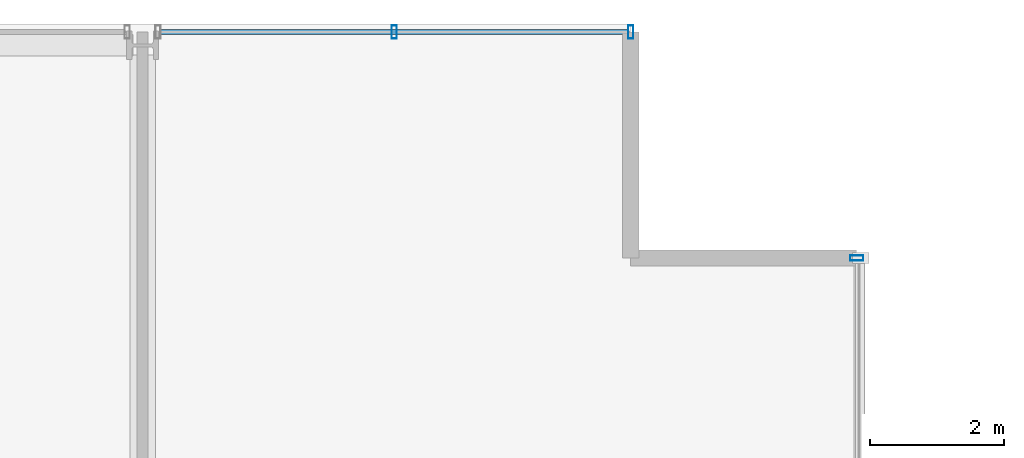
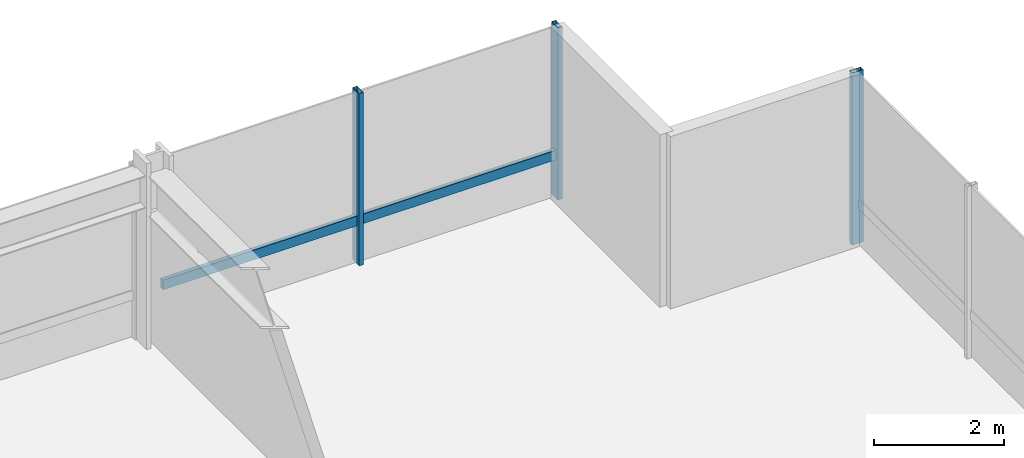
# One storey, part 28 of 38: 4 members, 2 elements without a shape of their own.
"""IFC4 building model written with IfcOpenShell, lengths in metres."""

import ifcopenshell
import ifcopenshell.guid

model = None  # the IFC model being written
_history = None  # IfcOwnerHistory: only IFC2X3 demands one
_inside = {}  # id of a spatial element -> (the spatial element, [elements in it])
_under = {}  # id of a project, library or spatial element -> (it, [spatial elements below it])
_declared = {}  # id of a project -> (the project, [libraries it declares])
_typed = {}  # id of a type object -> (the type object, [elements of that type])
_made_of = {}  # id of a material, layer set ... -> (it, [elements and type objects made of it])


def new_model(schema):
    """Start an empty IFC model of exactly this schema.

    Asked for "IFC4X3", IfcOpenShell would pick the latest addendum, in which some entities
    have other attributes; the version numbers below select the first issue.
    IFC2X3 requires an IfcOwnerHistory on every rooted entity: one is made here for all.
    """
    global model, _history
    if schema == "IFC4X3":
        model = ifcopenshell.file(schema_version=(4, 3, 0, 0))
    else:
        model = ifcopenshell.file(schema=schema)
    _inside.clear()
    _under.clear()
    _declared.clear()
    _typed.clear()
    _made_of.clear()
    _history = None
    if model.schema == "IFC2X3":
        org = make("IfcOrganization", Name="unknown")
        user = make(
            "IfcPersonAndOrganization",
            ThePerson=make("IfcPerson", FamilyName="unknown"),
            TheOrganization=org,
        )
        app = make(
            "IfcApplication",
            ApplicationDeveloper=org,
            Version="unknown",
            ApplicationFullName="unknown",
            ApplicationIdentifier="unknown",
        )
        _history = make(
            "IfcOwnerHistory",
            OwningUser=user,
            OwningApplication=app,
            ChangeAction="ADDED",
            CreationDate=0,
        )
    return model


def make(cls, **values):
    """One entity of the class cls with the attributes given. An attribute that is None is left unset."""
    return model.create_entity(
        cls, **{name: value for name, value in values.items() if value is not None}
    )


def rooted(cls, **values):
    """An entity with a GlobalId (a new one), such as an element, a storey or a relation."""
    return make(cls, GlobalId=ifcopenshell.guid.new(), OwnerHistory=_history, **values)


def si_unit(unit_type, name, prefix=None):
    """IfcSIUnit, for example si_unit("LENGTHUNIT", "METRE", prefix="MILLI")."""
    return make("IfcSIUnit", UnitType=unit_type, Prefix=prefix, Name=name)


def assignment(units):
    """IfcUnitAssignment: the units of a project."""
    return None if units is None else make("IfcUnitAssignment", Units=units)


def point(xyz):
    """IfcCartesianPoint."""
    return None if xyz is None else make("IfcCartesianPoint", Coordinates=xyz)


def direction(xyz):
    """IfcDirection."""
    return None if xyz is None else make("IfcDirection", DirectionRatios=xyz)


def frame(location, z_axis=None, x_axis=None):
    """IfcAxis2Placement3D, a coordinate frame: its origin and axes. An axis left out is left unset."""
    return make(
        "IfcAxis2Placement3D",
        Location=point(location),
        Axis=direction(z_axis),
        RefDirection=direction(x_axis),
    )


def frame_2d(location, x_axis=None):
    """IfcAxis2Placement2D, a coordinate frame in the plane: its origin and x axis."""
    return make(
        "IfcAxis2Placement2D", Location=point(location), RefDirection=direction(x_axis)
    )


def origin():
    """The frame at (0, 0, 0) with its axes left unset."""
    return frame((0.0, 0.0, 0.0))


def origin_2d():
    """The frame at (0, 0) in the plane with its x axis left unset."""
    return frame_2d((0.0, 0.0))


def place(relative_to, where):
    """IfcLocalPlacement: puts the frame where relative to a parent placement (None: the world)."""
    return make(
        "IfcLocalPlacement", PlacementRelTo=relative_to, RelativePlacement=where
    )


def context(
    kind, dimensions, precision=None, world=None, true_north=None, identifier=None
):
    """IfcGeometricRepresentationContext, for example the 3D "Model" context."""
    return make(
        "IfcGeometricRepresentationContext",
        ContextIdentifier=identifier,
        ContextType=kind,
        CoordinateSpaceDimension=dimensions,
        Precision=precision,
        WorldCoordinateSystem=world,
        TrueNorth=true_north,
    )


def subcontext(parent, identifier, kind, view, scale=None):
    """IfcGeometricRepresentationSubContext, for example "Body" below "Model"."""
    return make(
        "IfcGeometricRepresentationSubContext",
        ContextIdentifier=identifier,
        ContextType=kind,
        ParentContext=parent,
        TargetScale=scale,
        TargetView=view,
    )


def project(units=None, contexts=None):
    """IfcProject with its units and contexts."""
    return rooted(
        "IfcProject",
        Name="project",
        RepresentationContexts=contexts,
        UnitsInContext=assignment(units),
    )


def spatial(cls, under=None, at=None, **own):
    """A site, building, storey or space (cls), placed at a placement, below another one or the project."""
    s = rooted(cls, ObjectPlacement=at, **own)
    if under is not None:
        _under.setdefault(under.id(), (under, []))[1].append(s)
    return s


def profile(cls, at=None, kind="AREA", **sizes):
    """A parametric profile (cls). Its sizes go by their IFC names, for example OverallWidth=200.0."""
    return make(cls, ProfileType=kind, Position=at, **sizes)


def hollow_rectangle(**sizes):
    """IfcRectangleHollowProfileDef."""
    return profile("IfcRectangleHollowProfileDef", **sizes)


def extrude(swept, where, along, depth):
    """IfcExtrudedAreaSolid: the profile swept, set in the frame where, extruded along a direction by depth."""
    return make(
        "IfcExtrudedAreaSolid",
        SweptArea=swept,
        Position=where,
        ExtrudedDirection=direction(along),
        Depth=depth,
    )


def shape(context_of_items, identifier, shape_type, items):
    """IfcShapeRepresentation: the items that make up one representation, for example the "Body"."""
    return make(
        "IfcShapeRepresentation",
        ContextOfItems=context_of_items,
        RepresentationIdentifier=identifier,
        RepresentationType=shape_type,
        Items=items,
    )


def material(Name=None, Category=None):
    """IfcMaterial."""
    return make("IfcMaterial", Name=Name, Category=Category)


def layer(
    of_material, thickness, ventilated=None, Name=None, Category=None, Priority=None
):
    """IfcMaterialLayer: one layer of a wall or slab, of a material (None: an air gap)."""
    return make(
        "IfcMaterialLayer",
        Material=of_material,
        LayerThickness=thickness,
        IsVentilated=ventilated,
        Name=Name,
        Category=Category,
        Priority=Priority,
    )


def layer_set(layers, Name=None):
    """IfcMaterialLayerSet."""
    return make("IfcMaterialLayerSet", MaterialLayers=layers, LayerSetName=Name)


def material_profile(
    of_material, cross_section, Name=None, Category=None, Priority=None
):
    """IfcMaterialProfile: a cross section and its material."""
    return make(
        "IfcMaterialProfile",
        Name=Name,
        Material=of_material,
        Profile=cross_section,
        Priority=Priority,
        Category=Category,
    )


def profile_set(profiles, Name=None, composite=None):
    """IfcMaterialProfileSet."""
    return make(
        "IfcMaterialProfileSet",
        Name=Name,
        MaterialProfiles=profiles,
        CompositeProfile=composite,
    )


def made_of(thing, what):
    """Note that an element or type object is made of a material, layer set ...; save() writes the relation."""
    if what is not None:
        _made_of.setdefault(what.id(), (what, []))[1].append(thing)
    return thing


def type_object(cls, material=None, **own):
    """A type object (cls), such as IfcWallType, which elements share."""
    return made_of(rooted(cls, **own), material)


def element(
    cls,
    number,
    at=None,
    inside=None,
    cuts=None,
    type_object=None,
    material=None,
    context=None,
    identifier="Body",
    shape_type=None,
    held_by="IfcProductDefinitionShape",
    body=None,
    shapes=None,
    **own,
):
    """One element of the class cls, such as IfcWall. Its Tag is "e" and its number.

    at: its placement. inside: the storey or other place that contains it. cuts: it is an
    opening in that element (IfcRelVoidsElement). A single representation is given by context,
    identifier, shape_type and body (its items); several are given by shapes. held_by: the class
    of the entity that holds the representations. save() writes the other relations.
    """
    e = rooted(cls, Tag="e%d" % number, ObjectPlacement=at, **own)
    if body is not None:
        shapes = [shape(context, identifier, shape_type, body)]
    if shapes is not None:
        e.Representation = make(held_by, Representations=shapes)
    if inside is not None:
        _inside.setdefault(inside.id(), (inside, []))[1].append(e)
    if cuts is not None:
        rooted(
            "IfcRelVoidsElement", RelatingBuildingElement=cuts, RelatedOpeningElement=e
        )
    if type_object is not None:
        _typed.setdefault(type_object.id(), (type_object, []))[1].append(e)
    return made_of(e, material)


def aggregate(whole, parts):
    """IfcRelAggregates: a whole, such as a stair, and the parts it consists of."""
    return rooted("IfcRelAggregates", RelatingObject=whole, RelatedObjects=parts)


def save(model, path):
    """Write the relations noted so far, then the file.

    IfcRelAggregates (storeys below a building ...), IfcRelContainedInSpatialStructure (elements
    in a storey), IfcRelDefinesByType, IfcRelAssociatesMaterial and IfcRelDeclares: one each for
    every whole, place, type object, material and project.
    """
    for whole, parts in _under.values():
        aggregate(whole, parts)
    for where, things in _inside.values():
        rooted(
            "IfcRelContainedInSpatialStructure",
            RelatedElements=things,
            RelatingStructure=where,
        )
    for kind, things in _typed.values():
        rooted("IfcRelDefinesByType", RelatedObjects=things, RelatingType=kind)
    for what, things in _made_of.values():
        rooted("IfcRelAssociatesMaterial", RelatedObjects=things, RelatingMaterial=what)
    for by, libraries in _declared.values():
        rooted("IfcRelDeclares", RelatingContext=by, RelatedDefinitions=libraries)
    model.write(path)


model = new_model("IFC4")

# Units and contexts
model_context = context("Model", 3, precision=1e-05, world=origin(), true_north=direction((0.0, 1.0)))
body_context = subcontext(model_context, "Body", "Model", "MODEL_VIEW")
ifc_project = project(units=[si_unit("LENGTHUNIT", "METRE"), si_unit("AREAUNIT", "SQUARE_METRE"), si_unit("VOLUMEUNIT", "CUBIC_METRE"), si_unit("PLANEANGLEUNIT", "RADIAN"), si_unit("MASSUNIT", "GRAM", prefix="KILO")], contexts=[model_context])

# Site, building, storey
site_placement = place(None, origin())
site = spatial("IfcSite", under=ifc_project, at=site_placement, CompositionType="ELEMENT")
building_placement = place(site_placement, origin())
building = spatial("IfcBuilding", under=site, at=building_placement, Name="Drelvath Grand Hotel", CompositionType="ELEMENT")
storey_placement = place(building_placement, frame((0.0, 0.0, 68.199951171875)))
storey = spatial("IfcBuildingStorey", under=building, at=storey_placement, Name="L16", CompositionType="ELEMENT", Elevation=68.199951171875)

# Curtain wall, member
ifc_material = material(Name="Warm Bronze Anodised Aluminium Frame", Category="aluminium")
ifc_layer = layer(ifc_material, 0.199951171875)
ifc_layer_set = layer_set([ifc_layer], Name="Warm Bronze Anodised Aluminium Frame")
curtain_wall_type = type_object("IfcCurtainWallType", Name="Stick Curtain Wall CW-02 Warm Bronze Low-Rise", PredefinedType="NOTDEFINED", material=ifc_layer_set)
curtain_wall_1_placement = place(storey_placement, origin())
curtain_wall_1 = element("IfcCurtainWall", 1, at=curtain_wall_1_placement, inside=storey, type_object=curtain_wall_type, Name="L16 CW-02 Curtain Wall CW02-L16-NE3", PredefinedType="NOTDEFINED")
ifc_material_profile_1 = material_profile(ifc_material, hollow_rectangle(XDim=0.074951171875, YDim=0.179931640625, WallThickness=0.0048828125, at=origin_2d()), Name="HSS180X75X5")
ifc_profile_set_1 = profile_set([ifc_material_profile_1], Name="Warm Bronze Anodised Aluminium Frame")
member_type_1 = type_object("IfcMemberType", Name="Curtain Wall Horizontal Transom CW-02 HSS180X75X5", PredefinedType="USERDEFINED", material=ifc_profile_set_1)
member_1_placement = place(storey_placement, frame((16.468994140625, 53.8798828125, 0.81005859375), z_axis=(1.0, 0.0, 0.0), x_axis=(0.0, 1.0, 0.0)))
member_1 = element("IfcMember", 2, at=member_1_placement, type_object=member_type_1, Name="CW02-L16-NE3 Sill Transom", ObjectType="TRANSOM", PredefinedType="USERDEFINED", context=body_context, shape_type="SweptSolid", body=[
    extrude(hollow_rectangle(XDim=0.074951171875, YDim=0.179931640625, WallThickness=0.0048828125, at=origin_2d()), origin(), (0.0, 0.0, 1.0), 6.990966796875),
])

curtain_wall_2_placement = place(storey_placement, origin())
curtain_wall_2 = element("IfcCurtainWall", 3, at=curtain_wall_2_placement, inside=storey, type_object=curtain_wall_type, Name="L16 CW-02 Curtain Wall CW02-L16-EN3", PredefinedType="NOTDEFINED")
ifc_material_profile_2 = material_profile(ifc_material, hollow_rectangle(XDim=0.080078125, YDim=0.199951171875, WallThickness=0.0048828125, at=origin_2d()), Name="HSS200X80X5")
ifc_profile_set_2 = profile_set([ifc_material_profile_2], Name="Warm Bronze Anodised Aluminium Frame")
member_type_2 = type_object("IfcMemberType", Name="Curtain Wall Vertical Mullion CW-02 HSS200X80X5", PredefinedType="MULLION", material=ifc_profile_set_2)
member_2_placement = place(storey_placement, frame((26.8798828125, 50.5, 0.0), z_axis=(0.0, 0.0, 1.0), x_axis=(0.0, 1.0, 0.0)))
member_2 = element("IfcMember", 4, at=member_2_placement, type_object=member_type_2, Name="CW02-L16-EN3 Mullion 1", PredefinedType="MULLION", context=body_context, shape_type="SweptSolid", body=[
    extrude(hollow_rectangle(XDim=0.080078125, YDim=0.199951171875, WallThickness=0.0048828125, at=origin_2d()), origin(), (0.0, 0.0, 1.0), 3.239990234375),
])
aggregate(curtain_wall_2, [member_2])

# Member
member_3_placement = place(storey_placement, frame((19.964599609375, 53.8798828125, 0.0), z_axis=(0.0, 0.0, 1.0), x_axis=(1.0, 0.0, 0.0)))
member_3 = element("IfcMember", 5, at=member_3_placement, type_object=member_type_2, Name="CW02-L16-NE3 Mullion 2", PredefinedType="MULLION", context=body_context, shape_type="SweptSolid", body=[
    extrude(hollow_rectangle(XDim=0.080078125, YDim=0.199951171875, WallThickness=0.0048828125, at=origin_2d()), origin(), (0.0, 0.0, 1.0), 3.239990234375),
])

member_4_placement = place(storey_placement, frame((23.5, 53.8798828125, 0.0), z_axis=(0.0, 0.0, 1.0), x_axis=(1.0, 0.0, 0.0)))
member_4 = element("IfcMember", 6, at=member_4_placement, type_object=member_type_2, Name="CW02-L16-NE3 Mullion 3", PredefinedType="MULLION", context=body_context, shape_type="SweptSolid", body=[
    extrude(hollow_rectangle(XDim=0.080078125, YDim=0.199951171875, WallThickness=0.0048828125, at=origin_2d()), origin(), (0.0, 0.0, 1.0), 3.239990234375),
])

aggregate(curtain_wall_1, [member_3, member_4, member_1])

save(model, "model.ifc")
